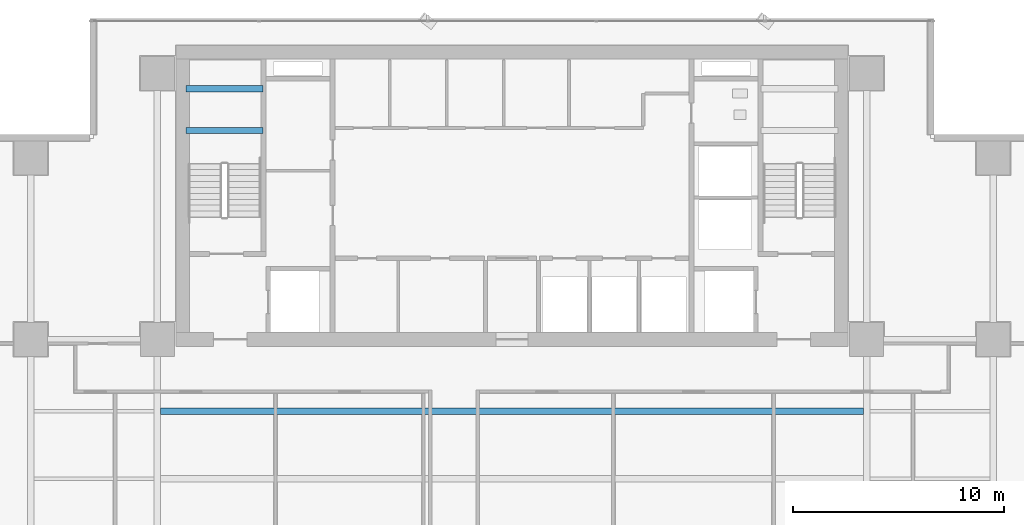
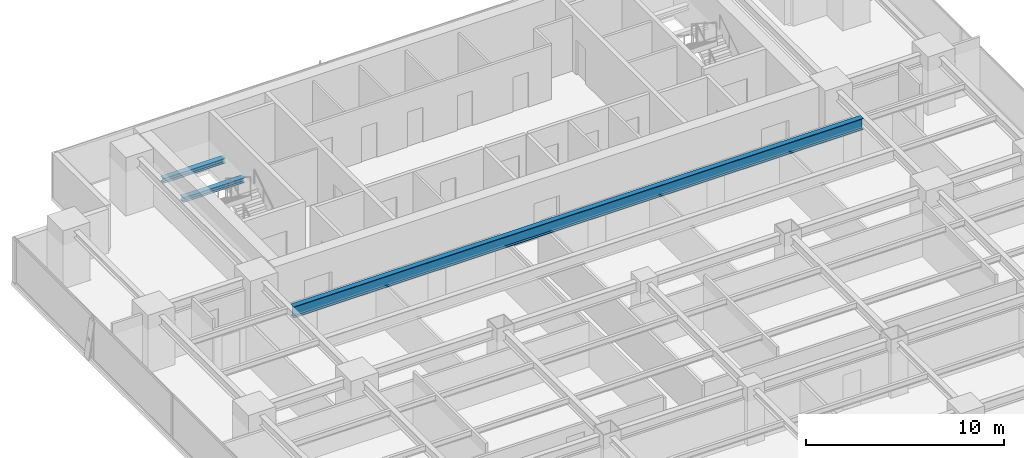
# One storey, part 19 of 34: 3 beams.
"""IFC4 building model written with IfcOpenShell, lengths in metres."""

import ifcopenshell
import ifcopenshell.guid

model = None  # the IFC model being written
_history = None  # IfcOwnerHistory: only IFC2X3 demands one
_inside = {}  # id of a spatial element -> (the spatial element, [elements in it])
_under = {}  # id of a project, library or spatial element -> (it, [spatial elements below it])
_declared = {}  # id of a project -> (the project, [libraries it declares])
_typed = {}  # id of a type object -> (the type object, [elements of that type])
_made_of = {}  # id of a material, layer set ... -> (it, [elements and type objects made of it])


def new_model(schema):
    """Start an empty IFC model of exactly this schema.

    Asked for "IFC4X3", IfcOpenShell would pick the latest addendum, in which some entities
    have other attributes; the version numbers below select the first issue.
    IFC2X3 requires an IfcOwnerHistory on every rooted entity: one is made here for all.
    """
    global model, _history
    if schema == "IFC4X3":
        model = ifcopenshell.file(schema_version=(4, 3, 0, 0))
    else:
        model = ifcopenshell.file(schema=schema)
    _inside.clear()
    _under.clear()
    _declared.clear()
    _typed.clear()
    _made_of.clear()
    _history = None
    if model.schema == "IFC2X3":
        org = make("IfcOrganization", Name="unknown")
        user = make(
            "IfcPersonAndOrganization",
            ThePerson=make("IfcPerson", FamilyName="unknown"),
            TheOrganization=org,
        )
        app = make(
            "IfcApplication",
            ApplicationDeveloper=org,
            Version="unknown",
            ApplicationFullName="unknown",
            ApplicationIdentifier="unknown",
        )
        _history = make(
            "IfcOwnerHistory",
            OwningUser=user,
            OwningApplication=app,
            ChangeAction="ADDED",
            CreationDate=0,
        )
    return model


def make(cls, **values):
    """One entity of the class cls with the attributes given. An attribute that is None is left unset."""
    return model.create_entity(
        cls, **{name: value for name, value in values.items() if value is not None}
    )


def rooted(cls, **values):
    """An entity with a GlobalId (a new one), such as an element, a storey or a relation."""
    return make(cls, GlobalId=ifcopenshell.guid.new(), OwnerHistory=_history, **values)


def si_unit(unit_type, name, prefix=None):
    """IfcSIUnit, for example si_unit("LENGTHUNIT", "METRE", prefix="MILLI")."""
    return make("IfcSIUnit", UnitType=unit_type, Prefix=prefix, Name=name)


def assignment(units):
    """IfcUnitAssignment: the units of a project."""
    return None if units is None else make("IfcUnitAssignment", Units=units)


def point(xyz):
    """IfcCartesianPoint."""
    return None if xyz is None else make("IfcCartesianPoint", Coordinates=xyz)


def direction(xyz):
    """IfcDirection."""
    return None if xyz is None else make("IfcDirection", DirectionRatios=xyz)


def frame(location, z_axis=None, x_axis=None):
    """IfcAxis2Placement3D, a coordinate frame: its origin and axes. An axis left out is left unset."""
    return make(
        "IfcAxis2Placement3D",
        Location=point(location),
        Axis=direction(z_axis),
        RefDirection=direction(x_axis),
    )


def frame_2d(location, x_axis=None):
    """IfcAxis2Placement2D, a coordinate frame in the plane: its origin and x axis."""
    return make(
        "IfcAxis2Placement2D", Location=point(location), RefDirection=direction(x_axis)
    )


def origin():
    """The frame at (0, 0, 0) with its axes left unset."""
    return frame((0.0, 0.0, 0.0))


def origin_2d():
    """The frame at (0, 0) in the plane with its x axis left unset."""
    return frame_2d((0.0, 0.0))


def place(relative_to, where):
    """IfcLocalPlacement: puts the frame where relative to a parent placement (None: the world)."""
    return make(
        "IfcLocalPlacement", PlacementRelTo=relative_to, RelativePlacement=where
    )


def context(
    kind, dimensions, precision=None, world=None, true_north=None, identifier=None
):
    """IfcGeometricRepresentationContext, for example the 3D "Model" context."""
    return make(
        "IfcGeometricRepresentationContext",
        ContextIdentifier=identifier,
        ContextType=kind,
        CoordinateSpaceDimension=dimensions,
        Precision=precision,
        WorldCoordinateSystem=world,
        TrueNorth=true_north,
    )


def subcontext(parent, identifier, kind, view, scale=None):
    """IfcGeometricRepresentationSubContext, for example "Body" below "Model"."""
    return make(
        "IfcGeometricRepresentationSubContext",
        ContextIdentifier=identifier,
        ContextType=kind,
        ParentContext=parent,
        TargetScale=scale,
        TargetView=view,
    )


def project(units=None, contexts=None):
    """IfcProject with its units and contexts."""
    return rooted(
        "IfcProject",
        Name="project",
        RepresentationContexts=contexts,
        UnitsInContext=assignment(units),
    )


def spatial(cls, under=None, at=None, **own):
    """A site, building, storey or space (cls), placed at a placement, below another one or the project."""
    s = rooted(cls, ObjectPlacement=at, **own)
    if under is not None:
        _under.setdefault(under.id(), (under, []))[1].append(s)
    return s


def profile(cls, at=None, kind="AREA", **sizes):
    """A parametric profile (cls). Its sizes go by their IFC names, for example OverallWidth=200.0."""
    return make(cls, ProfileType=kind, Position=at, **sizes)


def i_section(**sizes):
    """IfcIShapeProfileDef."""
    return profile("IfcIShapeProfileDef", **sizes)


def extrude(swept, where, along, depth):
    """IfcExtrudedAreaSolid: the profile swept, set in the frame where, extruded along a direction by depth."""
    return make(
        "IfcExtrudedAreaSolid",
        SweptArea=swept,
        Position=where,
        ExtrudedDirection=direction(along),
        Depth=depth,
    )


def shape(context_of_items, identifier, shape_type, items):
    """IfcShapeRepresentation: the items that make up one representation, for example the "Body"."""
    return make(
        "IfcShapeRepresentation",
        ContextOfItems=context_of_items,
        RepresentationIdentifier=identifier,
        RepresentationType=shape_type,
        Items=items,
    )


def source(mapping_origin, context_of_items, identifier, shape_type, items):
    """IfcRepresentationMap: a shape defined once, which mapped items show again and again."""
    return make(
        "IfcRepresentationMap",
        MappingOrigin=mapping_origin,
        MappedRepresentation=shape(context_of_items, identifier, shape_type, items),
    )


def transform(
    local_origin,
    x_axis=None,
    y_axis=None,
    z_axis=None,
    scale=None,
    scale2=None,
    scale3=None,
    uniform=True,
):
    """IfcCartesianTransformationOperator3D, or its non-uniform kind. x_axis, y_axis, z_axis: its Axis1, 2, 3."""
    if uniform:
        return make(
            "IfcCartesianTransformationOperator3D",
            Axis1=direction(x_axis),
            Axis2=direction(y_axis),
            LocalOrigin=point(local_origin),
            Scale=scale,
            Axis3=direction(z_axis),
        )
    return make(
        "IfcCartesianTransformationOperator3DnonUniform",
        Axis1=direction(x_axis),
        Axis2=direction(y_axis),
        LocalOrigin=point(local_origin),
        Scale=scale,
        Axis3=direction(z_axis),
        Scale2=scale2,
        Scale3=scale3,
    )


def mapped(mapping_source, mapping_target):
    """IfcMappedItem: shows the shape of a source again, moved by a transform."""
    return make(
        "IfcMappedItem", MappingSource=mapping_source, MappingTarget=mapping_target
    )


def material(Name=None, Category=None):
    """IfcMaterial."""
    return make("IfcMaterial", Name=Name, Category=Category)


def material_profile(
    of_material, cross_section, Name=None, Category=None, Priority=None
):
    """IfcMaterialProfile: a cross section and its material."""
    return make(
        "IfcMaterialProfile",
        Name=Name,
        Material=of_material,
        Profile=cross_section,
        Priority=Priority,
        Category=Category,
    )


def profile_set(profiles, Name=None, composite=None):
    """IfcMaterialProfileSet."""
    return make(
        "IfcMaterialProfileSet",
        Name=Name,
        MaterialProfiles=profiles,
        CompositeProfile=composite,
    )


def made_of(thing, what):
    """Note that an element or type object is made of a material, layer set ...; save() writes the relation."""
    if what is not None:
        _made_of.setdefault(what.id(), (what, []))[1].append(thing)
    return thing


def type_object(cls, material=None, **own):
    """A type object (cls), such as IfcWallType, which elements share."""
    return made_of(rooted(cls, **own), material)


def element(
    cls,
    number,
    at=None,
    inside=None,
    cuts=None,
    type_object=None,
    material=None,
    context=None,
    identifier="Body",
    shape_type=None,
    held_by="IfcProductDefinitionShape",
    body=None,
    shapes=None,
    **own,
):
    """One element of the class cls, such as IfcWall. Its Tag is "e" and its number.

    at: its placement. inside: the storey or other place that contains it. cuts: it is an
    opening in that element (IfcRelVoidsElement). A single representation is given by context,
    identifier, shape_type and body (its items); several are given by shapes. held_by: the class
    of the entity that holds the representations. save() writes the other relations.
    """
    e = rooted(cls, Tag="e%d" % number, ObjectPlacement=at, **own)
    if body is not None:
        shapes = [shape(context, identifier, shape_type, body)]
    if shapes is not None:
        e.Representation = make(held_by, Representations=shapes)
    if inside is not None:
        _inside.setdefault(inside.id(), (inside, []))[1].append(e)
    if cuts is not None:
        rooted(
            "IfcRelVoidsElement", RelatingBuildingElement=cuts, RelatedOpeningElement=e
        )
    if type_object is not None:
        _typed.setdefault(type_object.id(), (type_object, []))[1].append(e)
    return made_of(e, material)


def aggregate(whole, parts):
    """IfcRelAggregates: a whole, such as a stair, and the parts it consists of."""
    return rooted("IfcRelAggregates", RelatingObject=whole, RelatedObjects=parts)


def save(model, path):
    """Write the relations noted so far, then the file.

    IfcRelAggregates (storeys below a building ...), IfcRelContainedInSpatialStructure (elements
    in a storey), IfcRelDefinesByType, IfcRelAssociatesMaterial and IfcRelDeclares: one each for
    every whole, place, type object, material and project.
    """
    for whole, parts in _under.values():
        aggregate(whole, parts)
    for where, things in _inside.values():
        rooted(
            "IfcRelContainedInSpatialStructure",
            RelatedElements=things,
            RelatingStructure=where,
        )
    for kind, things in _typed.values():
        rooted("IfcRelDefinesByType", RelatedObjects=things, RelatingType=kind)
    for what, things in _made_of.values():
        rooted("IfcRelAssociatesMaterial", RelatedObjects=things, RelatingMaterial=what)
    for by, libraries in _declared.values():
        rooted("IfcRelDeclares", RelatingContext=by, RelatedDefinitions=libraries)
    model.write(path)


model = new_model("IFC4")

# Units and contexts
model_context = context("Model", 3, precision=1e-05, world=origin(), true_north=direction((0.0, 1.0)))
body_context = subcontext(model_context, "Body", "Model", "MODEL_VIEW")
ifc_project = project(units=[si_unit("LENGTHUNIT", "METRE"), si_unit("AREAUNIT", "SQUARE_METRE"), si_unit("VOLUMEUNIT", "CUBIC_METRE"), si_unit("PLANEANGLEUNIT", "RADIAN"), si_unit("MASSUNIT", "GRAM", prefix="KILO")], contexts=[model_context])

# Site, building, storey
site_placement = place(None, origin())
site = spatial("IfcSite", under=ifc_project, at=site_placement, CompositionType="ELEMENT")
building_placement = place(site_placement, origin())
building = spatial("IfcBuilding", under=site, at=building_placement, Name="Sumidabori Civic Tower", CompositionType="ELEMENT")
storey_placement = place(building_placement, frame((0.0, 0.0, 99.199951171875)))
storey = spatial("IfcBuildingStorey", under=building, at=storey_placement, Name="L25", CompositionType="ELEMENT", Elevation=99.199951171875)

# Beams
ifc_material = material(Name="Steel SN490", Category="steel")
ifc_material_profile_1 = material_profile(ifc_material, i_section(OverallWidth=0.300048828125, OverallDepth=0.300048828125, WebThickness=0.010986328125, FlangeThickness=0.01904296875, at=origin_2d()), Name="HE 300 B")
ifc_profile_set_1 = profile_set([ifc_material_profile_1], Name="Steel SN490")
beam_type_1 = type_object("IfcBeamType", Name="BM-LDG-300", PredefinedType="BEAM", material=ifc_profile_set_1)
shared_shape_1 = source(origin(), body_context, "Body", "SweptSolid", [
    extrude(i_section(OverallWidth=0.300048828125, OverallDepth=0.300048828125, WebThickness=0.010986328125, FlangeThickness=0.01904296875, at=origin_2d()), origin(), (0.0, 0.0, 1.0), 3.64990234375),
])
for number, where, z_axis, x_axis, name in (
    (1, (-15.449951171875, 20.09765625, 1.449951171875), (1.0, 0.0, 0.0), (0.0, 1.0, 0.0), "Stair ST-1 Landing Support Beam L25-1A"),
    (2, (-15.449951171875, 22.069580078125, 1.449951171875), (1.0, 0.0, 0.0), (0.0, 1.0, 0.0), "Stair ST-1 Landing Trimmer Beam L25-1B"),
):
    element("IfcBeam", number, at=place(storey_placement, frame(where, z_axis=z_axis, x_axis=x_axis)), inside=storey, type_object=beam_type_1, Name=name, PredefinedType="BEAM", context=body_context, shape_type="MappedRepresentation", body=[
        mapped(shared_shape_1, transform((0.0, 0.0, 0.0), x_axis=(1.0, 0.0, 0.0), y_axis=(0.0, 1.0, 0.0), z_axis=(0.0, 0.0, 1.0), scale=1.0)),
    ])
ifc_material_profile_2 = material_profile(ifc_material, i_section(OverallWidth=0.300048828125, OverallDepth=0.699951171875, WebThickness=0.01708984375, FlangeThickness=0.031982421875, at=origin_2d()), Name="HE 700 B")
ifc_profile_set_2 = profile_set([ifc_material_profile_2], Name="Steel SN490")
beam_type_2 = type_object("IfcBeamType", Name="BM-GIRD-700", PredefinedType="BEAM", material=ifc_profile_set_2)
shared_shape_2 = source(origin(), body_context, "Body", "SweptSolid", [
    extrude(i_section(OverallWidth=0.300048828125, OverallDepth=0.699951171875, WebThickness=0.01708984375, FlangeThickness=0.031982421875, at=origin_2d()), origin(), (0.0, 0.0, 1.0), 33.2998046875),
])
beam_placement = place(storey_placement, frame((-16.64990234375, 6.800048828125, 3.010009765625), z_axis=(1.0, 0.0, 0.0), x_axis=(0.0, 1.0, 0.0)))
element("IfcBeam", 3, at=beam_placement, inside=storey, type_object=beam_type_2, Name="North Bay Floor Beam L25 JSTN-54", PredefinedType="BEAM", context=body_context, shape_type="MappedRepresentation", body=[
    mapped(shared_shape_2, transform((0.0, 0.0, 0.0), x_axis=(1.0, 0.0, 0.0), y_axis=(0.0, 1.0, 0.0), z_axis=(0.0, 0.0, 1.0), scale=1.0)),
])

save(model, "model.ifc")
